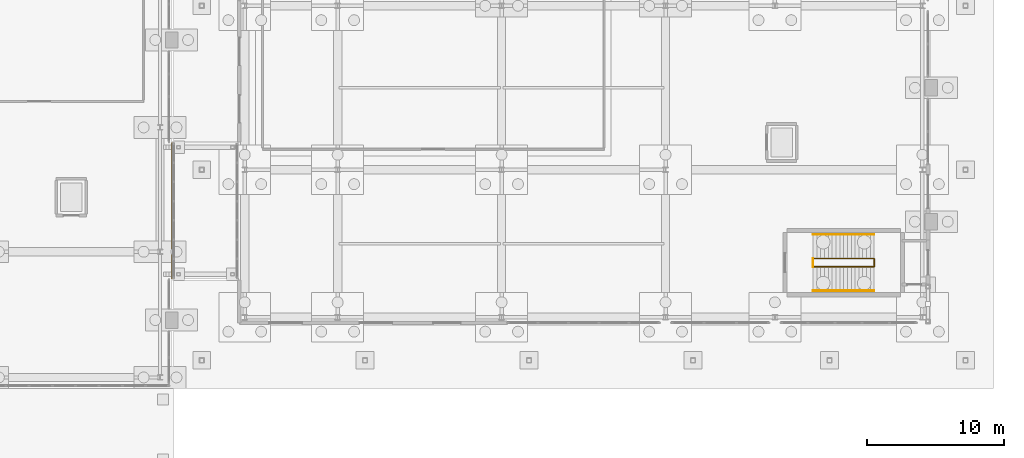
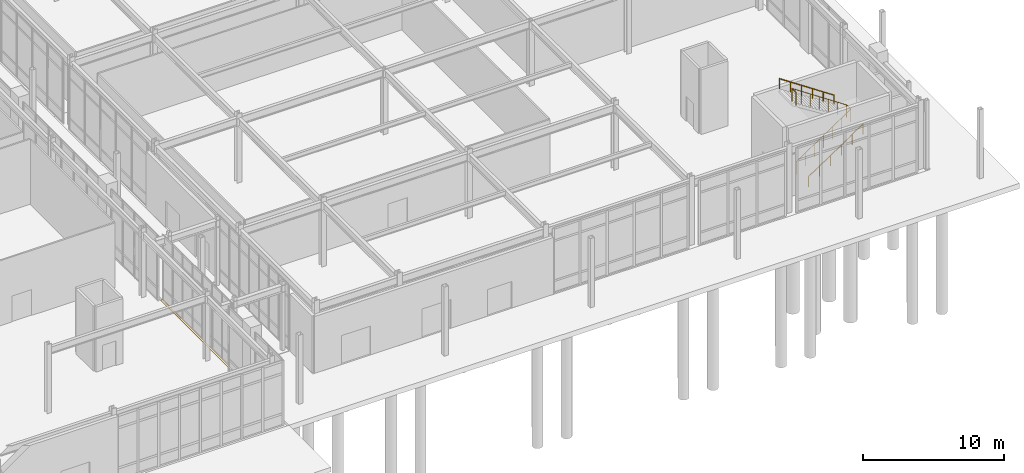
# One storey, part 137 of 143: 4 railings, 1 covering.
"""IFC4 building model written with IfcOpenShell, lengths in metres."""

from ifc_helpers import new_model, si_unit, derived_unit, direction, frame, origin, origin_2d, place, context, subcontext, project, spatial, polyline, circle, outline, extrude, material, layer, layer_set, type_object, element, save


model = new_model("IFC4")

# Units and contexts
model_context = context("Model", 3, precision=1e-05, world=origin(), true_north=direction((0.0, 1.0)))
body_context = subcontext(model_context, "Body", "Model", "MODEL_VIEW")
ifc_project = project(units=[si_unit("LENGTHUNIT", "METRE"), si_unit("AREAUNIT", "SQUARE_METRE"), si_unit("VOLUMEUNIT", "CUBIC_METRE"), si_unit("PLANEANGLEUNIT", "RADIAN"), si_unit("MASSUNIT", "GRAM", prefix="KILO"), derived_unit("THERMALTRANSMITTANCEUNIT", [(si_unit("MASSUNIT", "GRAM", prefix="KILO"), 1), (si_unit("TIMEUNIT", "SECOND"), -3), (si_unit("THERMODYNAMICTEMPERATUREUNIT", "KELVIN"), -1)])], contexts=[model_context])

# Site, building, storey
site_placement = place(None, origin())
site = spatial("IfcSite", under=ifc_project, at=site_placement, CompositionType="ELEMENT")
building_placement = place(site_placement, origin())
building = spatial("IfcBuilding", under=site, at=building_placement, Name="Valcora Ridge Arena", CompositionType="ELEMENT")
storey_placement = place(building_placement, origin())
storey = spatial("IfcBuildingStorey", under=building, at=storey_placement, Name="L00", CompositionType="ELEMENT", Elevation=0.0)

# Covering
ifc_material_1 = material(Name="Steel ASTM A572 Grade 50", Category="steel")
ifc_layer = layer(ifc_material_1, 0.02001953125, Name="Steel ASTM A572 Grade 50")
ifc_layer_set = layer_set([ifc_layer], Name="Steel ASTM A572 Grade 50")
covering_type = type_object("IfcCoveringType", Name="TY-COVERING-COV-SJ-150", PredefinedType="FLOORING", material=ifc_layer_set)
covering_placement = place(storey_placement, frame((0.0, 0.0, -0.02001953125)))
element("IfcCovering", 1, at=covering_placement, inside=storey, type_object=covering_type, Name="COV-SJ-150 COV-SJ-0003", PredefinedType="FLOORING", context=body_context, shape_type="SweptSolid", body=[
    extrude(outline(polyline([(131.85009765625, 8.0), (132.0, 8.0), (132.0, 18.0), (131.85009765625, 18.0), (131.85009765625, 8.0)])), origin(), (0.0, 0.0, 1.0), 0.02001953125),
])

# Railings
ifc_material_2 = material(Name="Galvanized painted steel ASTM A500 Grade B", Category="steel")
railing_type_1 = type_object("IfcRailingType", Name="TY-RAILING-GRD-STAIR-1120", PredefinedType="GUARDRAIL", material=ifc_material_2)
railing_1_placement = place(storey_placement, frame((178.7900390625, 8.89990234375, 0.0)))
element("IfcRailing", 2, at=railing_1_placement, inside=storey, type_object=railing_type_1, Name="GRD-STAIR-1120 RAL-SG-0089", PredefinedType="GUARDRAIL", context=body_context, shape_type="SweptSolid", body=[
    extrude(circle(Radius=0.02392578125, at=origin_2d()), frame((0.0, 0.0, 1.09619140625), z_axis=(0.830906055479, 0.0, 0.556412730775), x_axis=(0.0, 1.0, 0.0)), (0.0, 0.0, 1.0), 5.3916015625),
    extrude(circle(Radius=0.02392578125, at=origin_2d()), frame((4.47998046875, 0.0, 4.09619140625), z_axis=(0.0, 1.0, 0.0), x_axis=(-1.0, 0.0, 0.0)), (0.0, 0.0, 1.0), 0.60009765625),
    extrude(circle(Radius=0.02392578125, at=origin_2d()), frame((4.47998046875, 0.60009765625, 4.09619140625), z_axis=(-0.830906055479, 0.0, 0.556412730775), x_axis=(0.0, -1.0, 0.0)), (0.0, 0.0, 1.0), 5.3916015625),
    extrude(circle(Radius=0.02099609375, at=origin_2d()), origin(), (0.0, 0.0, 1.0), 1.072021484375),
    extrude(circle(Radius=0.02099609375, at=origin_2d()), frame((0.74658203125, 0.0, 0.5)), (0.0, 0.0, 1.0), 1.072021484375),
    extrude(circle(Radius=0.02099609375, at=origin_2d()), frame((1.493408203125, 0.0, 1.0)), (0.0, 0.0, 1.0), 1.072021484375),
    extrude(circle(Radius=0.02099609375, at=origin_2d()), frame((2.239990234375, 0.0, 1.5)), (0.0, 0.0, 1.0), 1.072021484375),
    extrude(circle(Radius=0.02099609375, at=origin_2d()), frame((2.986572265625, 0.0, 2.0)), (0.0, 0.0, 1.0), 1.072021484375),
    extrude(circle(Radius=0.02099609375, at=origin_2d()), frame((3.7333984375, 0.0, 2.5)), (0.0, 0.0, 1.0), 1.072021484375),
    extrude(circle(Radius=0.02099609375, at=origin_2d()), frame((4.47998046875, 0.0, 3.0)), (0.0, 0.0, 1.0), 1.072021484375),
    extrude(circle(Radius=0.02099609375, at=origin_2d()), frame((4.47998046875, 0.60009765625, 3.0)), (0.0, 0.0, 1.0), 1.072021484375),
    extrude(circle(Radius=0.02099609375, at=origin_2d()), frame((3.7333984375, 0.60009765625, 3.5)), (0.0, 0.0, 1.0), 1.072021484375),
    extrude(circle(Radius=0.02099609375, at=origin_2d()), frame((2.986572265625, 0.60009765625, 4.0)), (0.0, 0.0, 1.0), 1.072021484375),
    extrude(circle(Radius=0.02099609375, at=origin_2d()), frame((2.239990234375, 0.60009765625, 4.5)), (0.0, 0.0, 1.0), 1.072021484375),
    extrude(circle(Radius=0.02099609375, at=origin_2d()), frame((1.493408203125, 0.60009765625, 5.0)), (0.0, 0.0, 1.0), 1.072021484375),
    extrude(circle(Radius=0.02099609375, at=origin_2d()), frame((0.74658203125, 0.60009765625, 5.5)), (0.0, 0.0, 1.0), 1.072021484375),
    extrude(circle(Radius=0.02099609375, at=origin_2d()), frame((0.0, 0.60009765625, 6.0)), (0.0, 0.0, 1.0), 1.072021484375),
])
railing_2_placement = place(storey_placement, frame((178.7900390625, 8.89990234375, 6.0)))
element("IfcRailing", 3, at=railing_2_placement, inside=storey, type_object=railing_type_1, Name="GRD-STAIR-1120 RAL-SG-0090", PredefinedType="GUARDRAIL", context=body_context, shape_type="SweptSolid", body=[
    extrude(circle(Radius=0.02392578125, at=origin_2d()), frame((0.0, 0.0, 1.09619140625), z_axis=(0.0, 1.0, 0.0), x_axis=(-1.0, 0.0, 0.0)), (0.0, 0.0, 1.0), 0.60009765625),
    extrude(circle(Radius=0.02099609375, at=origin_2d()), origin(), (0.0, 0.0, 1.0), 1.072021484375),
    extrude(circle(Radius=0.02099609375, at=origin_2d()), frame((0.0, 0.60009765625, 0.0)), (0.0, 0.0, 1.0), 1.072021484375),
])
railing_type_2 = type_object("IfcRailingType", Name="TY-RAILING-HR-STAIR-900", PredefinedType="HANDRAIL", material=ifc_material_2)
railing_3_placement = place(storey_placement, frame((178.7900390625, 7.139892578125, 0.0)))
element("IfcRailing", 4, at=railing_3_placement, inside=storey, type_object=railing_type_2, Name="HR-STAIR-900 RAL-SH-0089", PredefinedType="HANDRAIL", context=body_context, shape_type="SweptSolid", body=[
    extrude(circle(Radius=0.02392578125, at=origin_2d()), frame((0.0, 0.0, 0.8759765625), z_axis=(0.830906055479, 0.0, 0.556412730775), x_axis=(0.0, 1.0, 0.0)), (0.0, 0.0, 1.0), 5.3916015625),
    extrude(circle(Radius=0.02099609375, at=origin_2d()), origin(), (0.0, 0.0, 1.0), 0.851806640625),
    extrude(circle(Radius=0.02099609375, at=origin_2d()), frame((0.89599609375, 0.0, 0.60009765625)), (0.0, 0.0, 1.0), 0.851806640625),
    extrude(circle(Radius=0.02099609375, at=origin_2d()), frame((1.7919921875, 0.0, 1.199951171875)), (0.0, 0.0, 1.0), 0.851806640625),
    extrude(circle(Radius=0.02099609375, at=origin_2d()), frame((2.68798828125, 0.0, 1.800048828125)), (0.0, 0.0, 1.0), 0.851806640625),
    extrude(circle(Radius=0.02099609375, at=origin_2d()), frame((3.583984375, 0.0, 2.39990234375)), (0.0, 0.0, 1.0), 0.851806640625),
    extrude(circle(Radius=0.02099609375, at=origin_2d()), frame((4.47998046875, 0.0, 3.0)), (0.0, 0.0, 1.0), 0.851806640625),
])
railing_4_placement = place(storey_placement, frame((183.27001953125, 11.260009765625, 3.0)))
element("IfcRailing", 5, at=railing_4_placement, inside=storey, type_object=railing_type_2, Name="HR-STAIR-900 RAL-SH-0090", PredefinedType="HANDRAIL", context=body_context, shape_type="SweptSolid", body=[
    extrude(circle(Radius=0.02392578125, at=origin_2d()), frame((0.0, 0.0, 0.8759765625), z_axis=(-0.830906055479, 0.0, 0.556412730775), x_axis=(0.0, -1.0, 0.0)), (0.0, 0.0, 1.0), 5.3916015625),
    extrude(circle(Radius=0.02099609375, at=origin_2d()), origin(), (0.0, 0.0, 1.0), 0.851806640625),
    extrude(circle(Radius=0.02099609375, at=origin_2d()), frame((-0.89599609375, 0.0, 0.60009765625)), (0.0, 0.0, 1.0), 0.851806640625),
    extrude(circle(Radius=0.02099609375, at=origin_2d()), frame((-1.7919921875, 0.0, 1.199951171875)), (0.0, 0.0, 1.0), 0.851806640625),
    extrude(circle(Radius=0.02099609375, at=origin_2d()), frame((-2.68798828125, 0.0, 1.800048828125)), (0.0, 0.0, 1.0), 0.851806640625),
    extrude(circle(Radius=0.02099609375, at=origin_2d()), frame((-3.583984375, 0.0, 2.39990234375)), (0.0, 0.0, 1.0), 0.851806640625),
    extrude(circle(Radius=0.02099609375, at=origin_2d()), frame((-4.47998046875, 0.0, 3.0)), (0.0, 0.0, 1.0), 0.851806640625),
])

save(model, "model.ifc")
